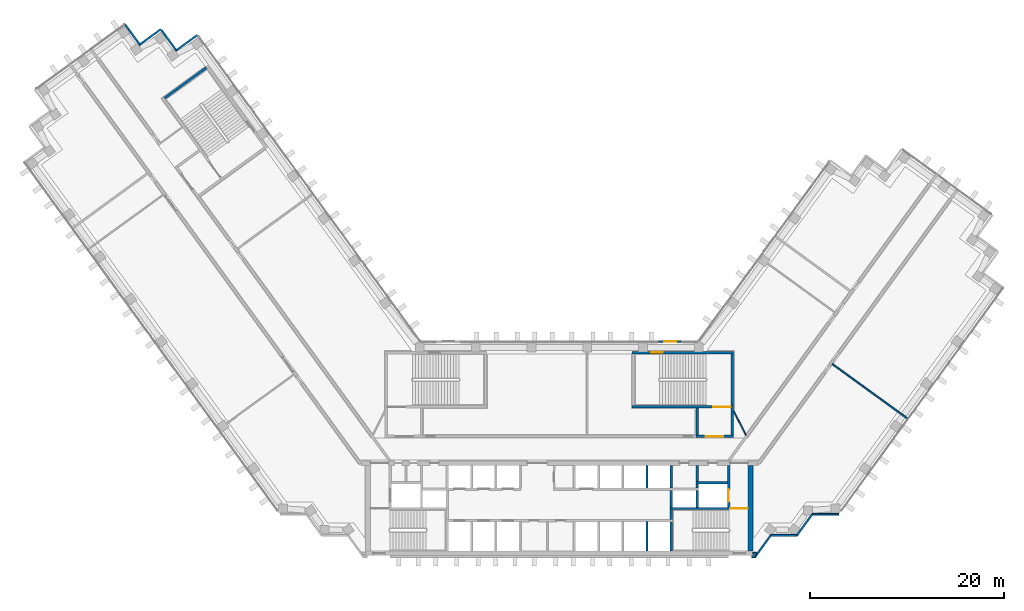
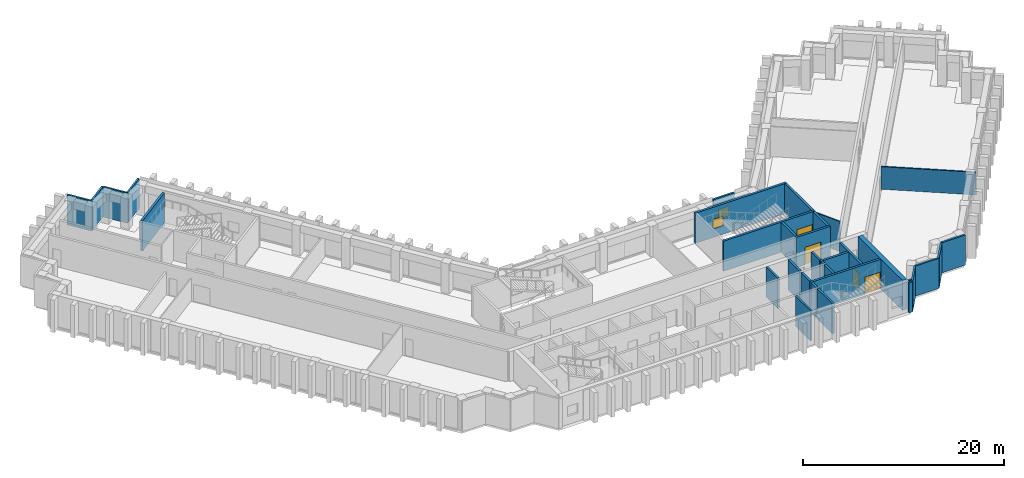
# One storey, part 7 of 11: 33 walls, 4 doors, 2 windows, 6 openings.
"""IFC4 building model written with IfcOpenShell, lengths in metres."""

from ifc_helpers import new_model, si_unit, direction, frame, frame_2d, origin, place, context, subcontext, project, spatial, rectangle, extrude, material, layer, layer_set, type_object, element, fill, save


model = new_model("IFC4")

# Units and contexts
model_context = context("Model", 3, precision=1e-05, world=origin(), true_north=direction((0.0, 1.0)))
body_context = subcontext(model_context, "Body", "Model", "MODEL_VIEW")
ifc_project = project(units=[si_unit("LENGTHUNIT", "METRE"), si_unit("AREAUNIT", "SQUARE_METRE"), si_unit("VOLUMEUNIT", "CUBIC_METRE"), si_unit("PLANEANGLEUNIT", "RADIAN"), si_unit("MASSUNIT", "GRAM", prefix="KILO")], contexts=[model_context])

# Site, building, storey
site_placement = place(None, origin())
site = spatial("IfcSite", under=ifc_project, at=site_placement, CompositionType="ELEMENT")
building_placement = place(site_placement, origin())
building = spatial("IfcBuilding", under=site, at=building_placement, Name="Quipu Civic Tower", CompositionType="ELEMENT")
storey_placement = place(building_placement, frame((0.0, 0.0, 117.0)))
storey = spatial("IfcBuildingStorey", under=building, at=storey_placement, Name="L27", CompositionType="ELEMENT", Elevation=117.0)

# Walls
ifc_material_1 = material(Name="Double gypsum plasterboard with mineral wool")
ifc_layer_1 = layer(ifc_material_1, 0.14990234375)
ifc_layer_set_1 = layer_set([ifc_layer_1], Name="Double gypsum plasterboard with mineral wool")
wall_type_1 = type_object("IfcWallType", Name="Acoustic partition 150 plasterboard", PredefinedType="PARTITIONING", material=ifc_layer_set_1)
wall_1_placement = place(storey_placement, frame((35.908935546875, 3.1826171875, 0.0), z_axis=(0.0, 0.0, 1.0), x_axis=(-0.809045492695, 0.587746025721, 0.0)))
element("IfcWall", 1, at=wall_1_placement, inside=storey, type_object=wall_type_1, Name="Partition P02", PredefinedType="PARTITIONING", context=body_context, shape_type="SweptSolid", body=[
    extrude(rectangle(XDim=9.550537109375, YDim=0.14990234375, at=frame_2d((4.775390625, 0.0))), origin(), (0.0, 0.0, 1.0), 2.75),
])
ifc_material_2 = material(Name="Concrete C70/85", Category="concrete")
ifc_layer_2 = layer(ifc_material_2, 0.25)
ifc_layer_set_2 = layer_set([ifc_layer_2], Name="Concrete C70/85")
wall_type_2 = type_object("IfcWallType", Name="Core wall 250", PredefinedType="SHEAR", material=ifc_layer_set_2)
wall_2_placement = place(storey_placement, frame((11.574951171875, -10.5, 0.0), z_axis=(0.0, 0.0, 1.0), x_axis=(0.0, 1.0, 0.0)))
element("IfcWall", 2, at=wall_2_placement, inside=storey, type_object=wall_type_2, Name="Core wall", PredefinedType="SHEAR", context=body_context, shape_type="SweptSolid", body=[
    extrude(rectangle(XDim=3.0, YDim=0.25, at=frame_2d((1.5, 0.0))), origin(), (0.0, 0.0, 1.0), 3.64990234375),
])
wall_3_placement = place(storey_placement, frame((11.574951171875, -7.25, 0.0), z_axis=(0.0, 0.0, 1.0), x_axis=(0.0, 1.0, 0.0)))
element("IfcWall", 3, at=wall_3_placement, inside=storey, type_object=wall_type_2, Name="Core wall", PredefinedType="SHEAR", context=body_context, shape_type="SweptSolid", body=[
    extrude(rectangle(XDim=1.0, YDim=0.25, at=frame_2d((0.5, 0.0))), origin(), (0.0, 0.0, 1.0), 3.64990234375),
])

# Wall, opening, door
wall_4_placement = place(storey_placement, frame((19.5, -6.125, 0.0), z_axis=(0.0, 0.0, 1.0), x_axis=(-1.0, 0.0, 0.0)))
wall_4 = element("IfcWall", 4, at=wall_4_placement, inside=storey, type_object=wall_type_2, Name="Core wall", PredefinedType="SHEAR", context=body_context, shape_type="SweptSolid", body=[
    extrude(rectangle(XDim=8.050048828125, YDim=0.25, at=frame_2d((4.02490234375, 0.0))), origin(), (0.0, 0.0, 1.0), 3.64990234375),
])
opening_1_placement = place(wall_4_placement, frame((0.050048828125, 0.0, 0.0)))
opening_1 = element("IfcOpeningElement", 5, at=opening_1_placement, cuts=wall_4, Name="Opening CD-04", PredefinedType="OPENING", context=body_context, shape_type="SweptSolid", body=[
    extrude(rectangle(XDim=1.800048828125, YDim=2.10009765625, at=frame_2d((0.89990234375, 1.050048828125))), frame((0.0, 0.135009765625, 0.0), z_axis=(0.0, -1.0, 0.0), x_axis=(1.0, 0.0, 0.0)), (0.0, 0.0, 1.0), 0.27001953125),
])
ifc_material_3 = material(Name="Fire rated steel door", Category="steel")
door_type_1 = type_object("IfcDoorType", Name="Fire door FD90 double 1800 x 2100", OperationType="NOTDEFINED", PredefinedType="DOOR", material=ifc_material_3)
door_1_placement = place(opening_1_placement, origin())
door_1 = element("IfcDoor", 6, at=door_1_placement, inside=storey, type_object=door_type_1, Name="Door", OperationType="DOUBLE_DOOR_SINGLE_SWING", OverallHeight=2.10009765625, OverallWidth=1.800048828125, PredefinedType="DOOR", context=body_context, shape_type="SweptSolid", body=[
    extrude(rectangle(XDim=1.800048828125, YDim=2.10009765625, at=frame_2d((0.89990234375, 1.050048828125))), frame((0.0, 0.02490234375, 0.0), z_axis=(0.0, -1.0, 0.0), x_axis=(1.0, 0.0, 0.0)), (0.0, 0.0, 1.0), 0.050048828125),
])
fill(opening_1, door_1)

# Walls
for number, where, z_axis, x_axis, name in (
    (7, (11.574951171875, -6.0, 0.0), (0.0, 0.0, 1.0), (0.0, 1.0, 0.0), "Core wall"),
    (8, (14.22509765625, -6.0, 0.0), (0.0, 0.0, 1.0), (0.0, 1.0, 0.0), "Core wall"),
):
    element("IfcWall", number, at=place(storey_placement, frame(where, z_axis=z_axis, x_axis=x_axis)), inside=storey, type_object=wall_type_2, Name=name, PredefinedType="SHEAR", context=body_context, shape_type="SweptSolid", body=[
        extrude(rectangle(XDim=1.75, YDim=0.25, at=frame_2d((0.875, 0.0))), origin(), (0.0, 0.0, 1.0), 3.64990234375),
    ])

# Wall, opening, door
wall_5_placement = place(storey_placement, frame((17.47509765625, -6.0, 0.0), z_axis=(0.0, 0.0, 1.0), x_axis=(0.0, 1.0, 0.0)))
wall_5 = element("IfcWall", 9, at=wall_5_placement, inside=storey, type_object=wall_type_2, Name="Core wall", PredefinedType="SHEAR", context=body_context, shape_type="SweptSolid", body=[
    extrude(rectangle(XDim=4.300048828125, YDim=0.25, at=frame_2d((2.14990234375, 0.0))), origin(), (0.0, 0.0, 1.0), 3.64990234375),
])
opening_2_placement = place(wall_5_placement, frame((0.550048828125, 0.0, 0.0)))
opening_2 = element("IfcOpeningElement", 10, at=opening_2_placement, cuts=wall_5, Name="Opening LD-FF2", PredefinedType="OPENING", context=body_context, shape_type="SweptSolid", body=[
    extrude(rectangle(XDim=1.300048828125, YDim=2.10009765625, at=frame_2d((0.64990234375, 1.050048828125))), frame((0.0, 0.135009765625, 0.0), z_axis=(0.0, -1.0, 0.0), x_axis=(1.0, 0.0, 0.0)), (0.0, 0.0, 1.0), 0.27001953125),
])
ifc_material_4 = material(Name="Stainless steel", Category="steel")
door_type_2 = type_object("IfcDoorType", Name="Lift landing door 1300 x 2100", OperationType="DOUBLE_DOOR_SLIDING", PredefinedType="DOOR", material=ifc_material_4)
door_2_placement = place(opening_2_placement, origin())
door_2 = element("IfcDoor", 11, at=door_2_placement, inside=storey, type_object=door_type_2, Name="Landing door FF2", OperationType="DOUBLE_DOOR_SLIDING", OverallHeight=2.10009765625, OverallWidth=1.300048828125, PredefinedType="DOOR", context=body_context, shape_type="SweptSolid", body=[
    extrude(rectangle(XDim=1.300048828125, YDim=2.10009765625, at=frame_2d((0.64990234375, 1.050048828125))), frame((0.0, 0.02490234375, 0.0), z_axis=(0.0, -1.0, 0.0), x_axis=(1.0, 0.0, 0.0)), (0.0, 0.0, 1.0), 0.050048828125),
])
fill(opening_2, door_2)

# Walls
wall_6_placement = place(storey_placement, frame((11.574951171875, -4.0, 0.0), z_axis=(0.0, 0.0, 1.0), x_axis=(0.0, 1.0, 0.0)))
element("IfcWall", 12, at=wall_6_placement, inside=storey, type_object=wall_type_2, Name="Core wall", PredefinedType="SHEAR", context=body_context, shape_type="SweptSolid", body=[
    extrude(rectangle(XDim=2.300048828125, YDim=0.25, at=frame_2d((1.14990234375, 0.0))), origin(), (0.0, 0.0, 1.0), 3.64990234375),
])
wall_7_placement = place(storey_placement, frame((14.22509765625, -4.0, 0.0), z_axis=(0.0, 0.0, 1.0), x_axis=(0.0, 1.0, 0.0)))
element("IfcWall", 13, at=wall_7_placement, inside=storey, type_object=wall_type_2, Name="Core wall", PredefinedType="SHEAR", context=body_context, shape_type="SweptSolid", body=[
    extrude(rectangle(XDim=0.39990234375, YDim=0.25, at=frame_2d((0.199951171875, 0.0))), origin(), (0.0, 0.0, 1.0), 3.64990234375),
])
wall_8_placement = place(storey_placement, frame((14.10009765625, -3.47509765625, 0.0), z_axis=(0.0, 0.0, 1.0), x_axis=(1.0, 0.0, 0.0)))
element("IfcWall", 14, at=wall_8_placement, inside=storey, type_object=wall_type_2, Name="Core wall", PredefinedType="SHEAR", context=body_context, shape_type="SweptSolid", body=[
    extrude(rectangle(XDim=3.25, YDim=0.25, at=frame_2d((1.625, 0.0))), origin(), (0.0, 0.0, 1.0), 3.64990234375),
])
wall_9_placement = place(storey_placement, frame((14.22509765625, -3.35009765625, 0.0), z_axis=(0.0, 0.0, 1.0), x_axis=(0.0, 1.0, 0.0)))
element("IfcWall", 15, at=wall_9_placement, inside=storey, type_object=wall_type_2, Name="Core wall", PredefinedType="SHEAR", context=body_context, shape_type="SweptSolid", body=[
    extrude(rectangle(XDim=1.650146484375, YDim=0.25, at=frame_2d((0.8251953125, 0.0))), origin(), (0.0, 0.0, 1.0), 3.64990234375),
])

# Wall, opening, door
wall_10_placement = place(storey_placement, frame((14.10009765625, 1.324951171875, 0.0), z_axis=(0.0, 0.0, 1.0), x_axis=(1.0, 0.0, 0.0)))
wall_10 = element("IfcWall", 16, at=wall_10_placement, inside=storey, type_object=wall_type_2, Name="Core wall", PredefinedType="SHEAR", context=body_context, shape_type="SweptSolid", body=[
    extrude(rectangle(XDim=3.89990234375, YDim=0.25, at=frame_2d((1.949951171875, 0.0))), origin(), (0.0, 0.0, 1.0), 3.64990234375),
])
opening_3_placement = place(wall_10_placement, frame((1.0, 0.0, 0.0)))
opening_3 = element("IfcOpeningElement", 17, at=opening_3_placement, cuts=wall_10, Name="Opening CD-16", PredefinedType="OPENING", context=body_context, shape_type="SweptSolid", body=[
    extrude(rectangle(XDim=1.800048828125, YDim=2.10009765625, at=frame_2d((0.89990234375, 1.050048828125))), frame((0.0, 0.135009765625, 0.0), z_axis=(0.0, -1.0, 0.0), x_axis=(1.0, 0.0, 0.0)), (0.0, 0.0, 1.0), 0.27001953125),
])
door_3_placement = place(opening_3_placement, origin())
door_3 = element("IfcDoor", 18, at=door_3_placement, inside=storey, type_object=door_type_1, Name="Lobby door", OperationType="DOUBLE_DOOR_SINGLE_SWING", OverallHeight=2.10009765625, OverallWidth=1.800048828125, PredefinedType="DOOR", context=body_context, shape_type="SweptSolid", body=[
    extrude(rectangle(XDim=1.800048828125, YDim=2.10009765625, at=frame_2d((0.89990234375, 1.050048828125))), frame((0.0, 0.02490234375, 0.0), z_axis=(0.0, -1.0, 0.0), x_axis=(1.0, 0.0, 0.0)), (0.0, 0.0, 1.0), 0.050048828125),
])
fill(opening_3, door_3)

# Walls
for number, where, z_axis, x_axis, name in (
    (19, (14.22509765625, 1.449951171875, 0.0), (0.0, 0.0, 1.0), (0.0, 1.0, 0.0), "Core wall"),
    (20, (17.875, 1.449951171875, 0.0), (0.0, 0.0, 1.0), (0.0, 1.0, 0.0), "Core wall"),
):
    element("IfcWall", number, at=place(storey_placement, frame(where, z_axis=z_axis, x_axis=x_axis)), inside=storey, type_object=wall_type_2, Name=name, PredefinedType="SHEAR", context=body_context, shape_type="SweptSolid", body=[
        extrude(rectangle(XDim=2.800048828125, YDim=0.25, at=frame_2d((1.39990234375, 0.0))), origin(), (0.0, 0.0, 1.0), 3.64990234375),
    ])

# Wall, opening, door
wall_11_placement = place(storey_placement, frame((7.5, 4.375, 0.0), z_axis=(0.0, 0.0, 1.0), x_axis=(1.0, 0.0, 0.0)))
wall_11 = element("IfcWall", 21, at=wall_11_placement, inside=storey, type_object=wall_type_2, Name="Core wall", PredefinedType="SHEAR", context=body_context, shape_type="SweptSolid", body=[
    extrude(rectangle(XDim=10.5, YDim=0.25, at=frame_2d((5.25, 0.0))), origin(), (0.0, 0.0, 1.0), 3.64990234375),
])
opening_4_placement = place(wall_11_placement, frame((8.39990234375, 0.0, 0.0)))
opening_4 = element("IfcOpeningElement", 22, at=opening_4_placement, cuts=wall_11, Name="Opening CD-17", PredefinedType="OPENING", context=body_context, shape_type="SweptSolid", body=[
    extrude(rectangle(XDim=1.800048828125, YDim=2.10009765625, at=frame_2d((0.89990234375, 1.050048828125))), frame((0.0, 0.135009765625, 0.0), z_axis=(0.0, -1.0, 0.0), x_axis=(1.0, 0.0, 0.0)), (0.0, 0.0, 1.0), 0.27001953125),
])
door_4_placement = place(opening_4_placement, origin())
door_4 = element("IfcDoor", 23, at=door_4_placement, inside=storey, type_object=door_type_1, Name="Door", OperationType="DOUBLE_DOOR_SINGLE_SWING", OverallHeight=2.10009765625, OverallWidth=1.800048828125, PredefinedType="DOOR", context=body_context, shape_type="SweptSolid", body=[
    extrude(rectangle(XDim=1.800048828125, YDim=2.10009765625, at=frame_2d((0.89990234375, 1.050048828125))), frame((0.0, 0.02490234375, 0.0), z_axis=(0.0, -1.0, 0.0), x_axis=(1.0, 0.0, 0.0)), (0.0, 0.0, 1.0), 0.050048828125),
])
fill(opening_4, door_4)

# Wall
wall_12_placement = place(storey_placement, frame((17.875, 4.5, 0.0), z_axis=(0.0, 0.0, 1.0), x_axis=(0.0, 1.0, 0.0)))
element("IfcWall", 24, at=wall_12_placement, inside=storey, type_object=wall_type_2, Name="Core wall", PredefinedType="SHEAR", context=body_context, shape_type="SweptSolid", body=[
    extrude(rectangle(XDim=5.35009765625, YDim=0.25, at=frame_2d((2.675048828125, 0.0))), origin(), (0.0, 0.0, 1.0), 3.64990234375),
])

# Wall, opening, window
wall_13_placement = place(storey_placement, frame((7.5, 9.97509765625, 0.0), z_axis=(0.0, 0.0, 1.0), x_axis=(1.0, 0.0, 0.0)))
wall_13 = element("IfcWall", 25, at=wall_13_placement, inside=storey, type_object=wall_type_2, Name="Core wall", PredefinedType="SHEAR", context=body_context, shape_type="SweptSolid", body=[
    extrude(rectangle(XDim=10.5, YDim=0.25, at=frame_2d((5.25, 0.0))), origin(), (0.0, 0.0, 1.0), 3.64990234375),
])
opening_5_placement = place(wall_13_placement, frame((2.0, 0.0, 1.0)))
opening_5 = element("IfcOpeningElement", 26, at=opening_5_placement, cuts=wall_13, Name="Opening SV-4", PredefinedType="OPENING", context=body_context, shape_type="SweptSolid", body=[
    extrude(rectangle(XDim=1.199951171875, YDim=1.199951171875, at=frame_2d((0.60009765625, 0.60009765625))), frame((0.0, 0.135009765625, 0.0), z_axis=(0.0, -1.0, 0.0), x_axis=(1.0, 0.0, 0.0)), (0.0, 0.0, 1.0), 0.27001953125),
])
ifc_material_5 = material(Name="Aluminium louvre", Category="aluminium")
window_type_1 = type_object("IfcWindowType", Name="Stair ventilation louvre 1200 x 1200", PartitioningType="SINGLE_PANEL", PredefinedType="WINDOW", material=ifc_material_5)
window_1_placement = place(opening_5_placement, origin())
window_1 = element("IfcWindow", 27, at=window_1_placement, inside=storey, type_object=window_type_1, Name="Stair ventilation opening", OverallHeight=1.199951171875, OverallWidth=1.199951171875, PartitioningType="SINGLE_PANEL", PredefinedType="WINDOW", context=body_context, shape_type="SweptSolid", body=[
    extrude(rectangle(XDim=1.199951171875, YDim=1.199951171875, at=frame_2d((0.60009765625, 0.60009765625))), frame((0.0, 0.030029296875, 0.0), z_axis=(0.0, -1.0, 0.0), x_axis=(1.0, 0.0, 0.0)), (0.0, 0.0, 1.0), 0.06005859375),
])
fill(opening_5, window_1)

# Walls
wall_14_placement = place(storey_placement, frame((-36.43896484375, 39.384033203125, 0.0), z_axis=(0.0, 0.0, 1.0), x_axis=(-0.809020161303, -0.587780893365, 0.0)))
element("IfcWall", 28, at=wall_14_placement, inside=storey, type_object=wall_type_2, Name="Core wall", PredefinedType="SHEAR", context=body_context, shape_type="SweptSolid", body=[
    extrude(rectangle(XDim=5.349853515625, YDim=0.25, at=frame_2d((2.6748046875, 0.0))), origin(), (0.0, 0.0, 1.0), 3.64990234375),
])
ifc_material_6 = material(Name="Concrete C70/85", Category="concrete")
ifc_layer_3 = layer(ifc_material_6, 0.5)
ifc_layer_set_3 = layer_set([ifc_layer_3], Name="Concrete C70/85")
wall_type_3 = type_object("IfcWallType", Name="Core wall 500", PredefinedType="SHEAR", material=ifc_layer_set_3)
wall_15_placement = place(storey_placement, frame((19.75, -10.5, 0.0), z_axis=(0.0, 0.0, 1.0), x_axis=(0.0, 1.0, 0.0)))
element("IfcWall", 29, at=wall_15_placement, inside=storey, type_object=wall_type_3, Name="Core wall", PredefinedType="SHEAR", context=body_context, shape_type="SweptSolid", body=[
    extrude(rectangle(XDim=8.800048828125, YDim=0.5, at=frame_2d((4.39990234375, 0.0))), origin(), (0.0, 0.0, 1.0), 3.64990234375),
])
ifc_material_7 = material(Name="Gypsum plasterboard on light gauge framing")
ifc_layer_4 = layer(ifc_material_7, 0.1201171875)
ifc_layer_set_4 = layer_set([ifc_layer_4], Name="Gypsum plasterboard on light gauge framing")
wall_type_4 = type_object("IfcWallType", Name="Partition 120 plasterboard", PredefinedType="PARTITIONING", material=ifc_layer_set_4)
wall_16_placement = place(storey_placement, frame((18.0, 3.925048828125, 0.0), z_axis=(0.0, 0.0, 1.0), x_axis=(0.453950796792, -0.891026752736, 0.0)))
element("IfcWall", 30, at=wall_16_placement, inside=storey, type_object=wall_type_4, Name="Partition P09", PredefinedType="PARTITIONING", context=body_context, shape_type="SweptSolid", body=[
    extrude(rectangle(XDim=2.77783203125, YDim=0.1201171875, at=frame_2d((1.388916015625, 0.0))), origin(), (0.0, 0.0, 1.0), 3.64990234375),
])
ifc_material_8 = material(Name="Precast concrete C40/50", Category="concrete")
wall_type_5 = type_object("IfcWallType", Name="Precast cladding wall", PredefinedType="SOLIDWALL", material=ifc_material_8)
wall_17_placement = place(storey_placement, frame((-37.352783203125, 42.768310546875, 0.0), z_axis=(0.0, 0.0, 1.0), x_axis=(-0.809033161865, -0.587762999008, 0.0)))
element("IfcWall", 31, at=wall_17_placement, inside=storey, type_object=wall_type_5, Name="Precast cladding wall L27 P02", PredefinedType="SOLIDWALL", context=body_context, shape_type="SweptSolid", body=[
    extrude(rectangle(XDim=2.699951171875, YDim=0.199951171875, at=frame_2d((1.35009765625, 0.0))), origin(), (0.0, 0.0, 1.0), 3.64990234375),
])
wall_18_placement = place(storey_placement, frame((-39.488037109375, 41.093505859375, 0.0), z_axis=(0.0, 0.0, 1.0), x_axis=(-0.587806000234, 0.809001919707, 0.0)))
element("IfcWall", 32, at=wall_18_placement, inside=storey, type_object=wall_type_5, Name="Precast cladding wall L27 P03", PredefinedType="SOLIDWALL", context=body_context, shape_type="SweptSolid", body=[
    extrude(rectangle(XDim=2.69970703125, YDim=0.199951171875, at=frame_2d((1.349853515625, 0.0))), origin(), (0.0, 0.0, 1.0), 3.64990234375),
])
for number, where, z_axis, x_axis, name in (
    (33, (-41.1240234375, 43.36572265625, 0.0), (0.0, 0.0, 1.0), (-0.809033161865, -0.587762999008, 0.0), "Precast cladding wall L27 P04"),
    (34, (-43.25927734375, 41.690673828125, 0.0), (0.0, 0.0, 1.0), (-0.587822180636, 0.808990163075, 0.0), "Precast cladding wall L27 P05"),
):
    element("IfcWall", number, at=place(storey_placement, frame(where, z_axis=z_axis, x_axis=x_axis)), inside=storey, type_object=wall_type_5, Name=name, PredefinedType="SOLIDWALL", context=body_context, shape_type="SweptSolid", body=[
        extrude(rectangle(XDim=2.699951171875, YDim=0.199951171875, at=frame_2d((1.35009765625, 0.0))), origin(), (0.0, 0.0, 1.0), 3.64990234375),
    ])
wall_19_placement = place(storey_placement, frame((19.85009765625, -11.087890625, 0.0), z_axis=(0.0, 0.0, 1.0), x_axis=(1.0, 0.0, 0.0)))
element("IfcWall", 35, at=wall_19_placement, inside=storey, type_object=wall_type_5, Name="Precast cladding wall L27 P19", PredefinedType="SOLIDWALL", context=body_context, shape_type="SweptSolid", body=[
    extrude(rectangle(XDim=0.40576171875, YDim=0.199951171875, at=frame_2d((0.202880859375, 0.0))), origin(), (0.0, 0.0, 1.0), 3.64990234375),
])
wall_20_placement = place(storey_placement, frame((20.253173828125, -11.083251953125, 0.0), z_axis=(0.0, 0.0, 1.0), x_axis=(0.587766567315, 0.809030569476, 0.0)))
element("IfcWall", 36, at=wall_20_placement, inside=storey, type_object=wall_type_5, Name="Precast cladding wall L27 P20", PredefinedType="SOLIDWALL", context=body_context, shape_type="SweptSolid", body=[
    extrude(rectangle(XDim=2.687744140625, YDim=0.199951171875, at=frame_2d((1.34375, 0.0))), origin(), (0.0, 0.0, 1.0), 3.64990234375),
])
wall_21_placement = place(storey_placement, frame((21.8427734375, -8.90380859375, 0.0), z_axis=(0.0, 0.0, 1.0), x_axis=(1.0, 0.0, 0.0)))
element("IfcWall", 37, at=wall_21_placement, inside=storey, type_object=wall_type_5, Name="Precast cladding wall L27 P21", PredefinedType="SOLIDWALL", context=body_context, shape_type="SweptSolid", body=[
    extrude(rectangle(XDim=2.699951171875, YDim=0.199951171875, at=frame_2d((1.35009765625, 0.0))), origin(), (0.0, 0.0, 1.0), 3.64990234375),
])
wall_22_placement = place(storey_placement, frame((24.533203125, -8.90869140625, 0.0), z_axis=(0.0, 0.0, 1.0), x_axis=(0.587720002413, 0.809064397168, 0.0)))
element("IfcWall", 38, at=wall_22_placement, inside=storey, type_object=wall_type_5, Name="Precast cladding wall L27 P22", PredefinedType="SOLIDWALL", context=body_context, shape_type="SweptSolid", body=[
    extrude(rectangle(XDim=2.7001953125, YDim=0.199951171875, at=frame_2d((1.35009765625, 0.0))), origin(), (0.0, 0.0, 1.0), 3.64990234375),
])
wall_23_placement = place(storey_placement, frame((26.1298828125, -6.71923828125, 0.0), z_axis=(0.0, 0.0, 1.0), x_axis=(1.0, 0.0, 0.0)))
element("IfcWall", 39, at=wall_23_placement, inside=storey, type_object=wall_type_5, Name="Precast cladding wall L27 P23", PredefinedType="SOLIDWALL", context=body_context, shape_type="SweptSolid", body=[
    extrude(rectangle(XDim=2.699951171875, YDim=0.199951171875, at=frame_2d((1.35009765625, 0.0))), origin(), (0.0, 0.0, 1.0), 3.64990234375),
])

# Wall, opening, window
wall_24_placement = place(storey_placement, frame((12.655029296875, 11.10009765625, 0.0), z_axis=(0.0, 0.0, 1.0), x_axis=(-1.0, 0.0, 0.0)))
wall_24 = element("IfcWall", 40, at=wall_24_placement, inside=storey, type_object=wall_type_5, Name="Vent surround SF-L25-2", PredefinedType="SOLIDWALL", context=body_context, shape_type="SweptSolid", body=[
    extrude(rectangle(XDim=2.3916015625, YDim=0.199951171875, at=frame_2d((1.19580078125, 0.0))), origin(), (0.0, 0.0, 1.0), 3.64990234375),
])
opening_6_placement = place(wall_24_placement, frame((0.595703125, 0.0, 1.0)))
opening_6 = element("IfcOpeningElement", 41, at=opening_6_placement, cuts=wall_24, Name="Opening SF-L25-2", PredefinedType="OPENING", context=body_context, shape_type="SweptSolid", body=[
    extrude(rectangle(XDim=1.199951171875, YDim=1.199951171875, at=frame_2d((0.60009765625, 0.60009765625))), frame((0.0, 0.10986328125, 0.0), z_axis=(0.0, -1.0, 0.0), x_axis=(1.0, 0.0, 0.0)), (0.0, 0.0, 1.0), 0.219970703125),
])
ifc_material_9 = material(Name="Anodised aluminium louvre", Category="aluminium")
window_type_2 = type_object("IfcWindowType", Name="Stair vent louvre window P3", PartitioningType="SINGLE_PANEL", PredefinedType="WINDOW", material=ifc_material_9)
window_2_placement = place(opening_6_placement, origin())
window_2 = element("IfcWindow", 42, at=window_2_placement, inside=storey, type_object=window_type_2, Name="Stair vent louvre SF-L25-2", OverallHeight=1.199951171875, OverallWidth=1.199951171875, PartitioningType="SINGLE_PANEL", PredefinedType="WINDOW", context=body_context, shape_type="SweptSolid", body=[
    extrude(rectangle(XDim=1.199951171875, YDim=1.199951171875, at=frame_2d((0.60009765625, 0.60009765625))), frame((0.0, 0.030029296875, 0.0), z_axis=(0.0, -1.0, 0.0), x_axis=(1.0, 0.0, 0.0)), (0.0, 0.0, 1.0), 0.06005859375),
])
fill(opening_6, window_2)

# Walls
wall_25_placement = place(storey_placement, frame((19.97998046875, -10.75, 0.0), z_axis=(0.0, 0.0, 1.0), x_axis=(1.0, 0.0, 0.0)))
element("IfcWall", 43, at=wall_25_placement, inside=storey, type_object=wall_type_5, Name="Precast cladding return L27 E", PredefinedType="SOLIDWALL", context=body_context, shape_type="SweptSolid", body=[
    extrude(rectangle(XDim=0.41650390625, YDim=0.199951171875, at=frame_2d((0.208251953125, 0.0))), origin(), (0.0, 0.0, 1.0), 3.64990234375),
])
ifc_material_10 = material(Name="Concrete C40/50", Category="concrete")
ifc_layer_5 = layer(ifc_material_10, 0.199951171875)
ifc_layer_set_5 = layer_set([ifc_layer_5], Name="Concrete C40/50")
wall_type_6 = type_object("IfcWallType", Name="Shaft wall 200", PredefinedType="SOLIDWALL", material=ifc_layer_set_5)
wall_26_placement = place(storey_placement, frame((9.050048828125, -10.5, 0.0), z_axis=(0.0, 0.0, 1.0), x_axis=(0.0, 1.0, 0.0)))
element("IfcWall", 44, at=wall_26_placement, inside=storey, type_object=wall_type_6, Name="Shaft wall", PredefinedType="SOLIDWALL", context=body_context, shape_type="SweptSolid", body=[
    extrude(rectangle(XDim=3.0, YDim=0.199951171875, at=frame_2d((1.5, 0.0))), origin(), (0.0, 0.0, 1.0), 3.64990234375),
])
wall_27_placement = place(storey_placement, frame((9.050048828125, -4.0, 0.0), z_axis=(0.0, 0.0, 1.0), x_axis=(0.0, 1.0, 0.0)))
element("IfcWall", 45, at=wall_27_placement, inside=storey, type_object=wall_type_6, Name="Shaft wall", PredefinedType="SOLIDWALL", context=body_context, shape_type="SweptSolid", body=[
    extrude(rectangle(XDim=2.300048828125, YDim=0.199951171875, at=frame_2d((1.14990234375, 0.0))), origin(), (0.0, 0.0, 1.0), 3.64990234375),
])

save(model, "model.ifc")
